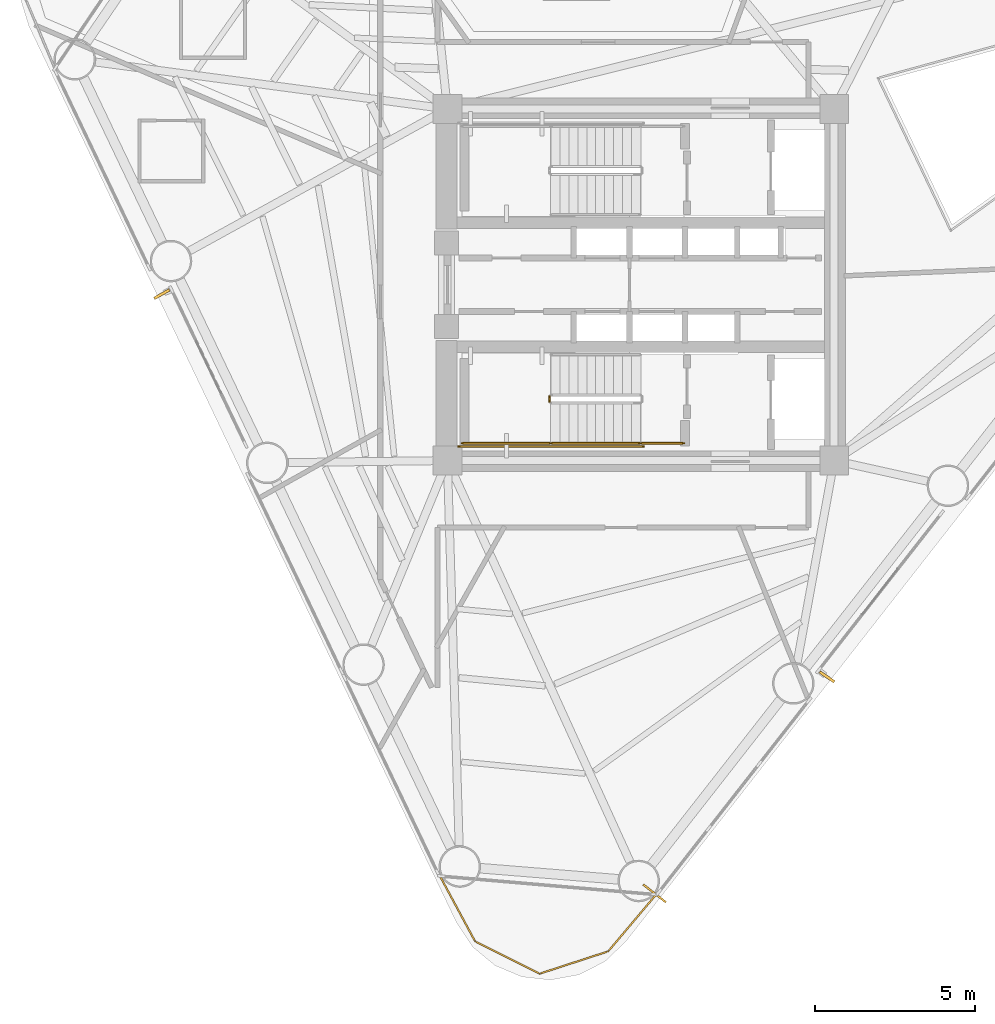
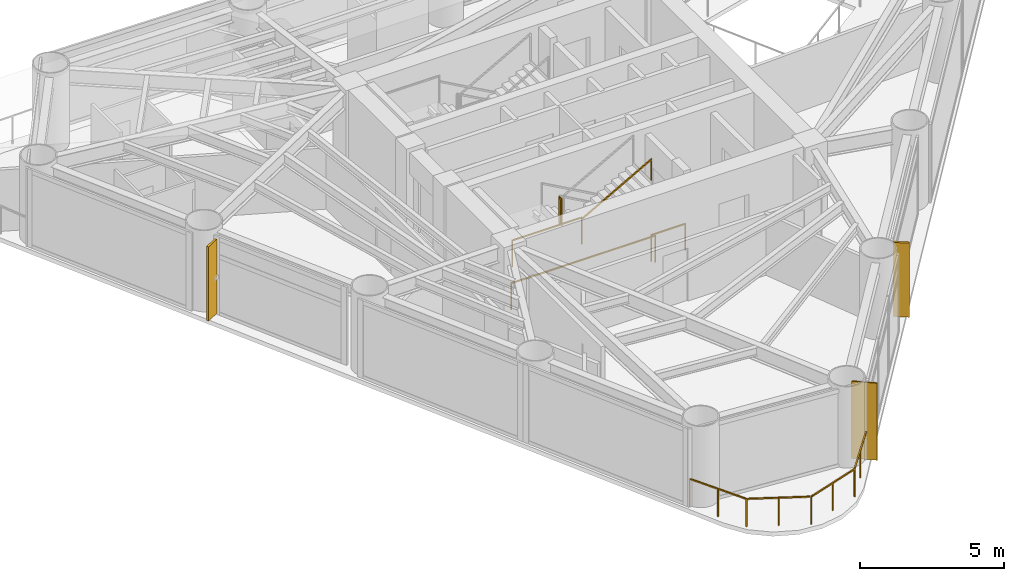
# One storey, part 8 of 10: 6 railings, 2 shading devices, 1 covering.
"""IFC4 building model written with IfcOpenShell, lengths in metres."""

from ifc_helpers import new_model, si_unit, direction, frame, origin, origin_2d, place, context, subcontext, project, spatial, rectangle, extrude, source, transform, mapped, material, layer, layer_set, material_profile, profile_set, type_object, element, save


model = new_model("IFC4")

# Units and contexts
model_context = context("Model", 3, precision=1e-05, world=origin(), true_north=direction((0.0, 1.0)))
body_context = subcontext(model_context, "Body", "Model", "MODEL_VIEW")
ifc_project = project(units=[si_unit("LENGTHUNIT", "METRE"), si_unit("AREAUNIT", "SQUARE_METRE"), si_unit("VOLUMEUNIT", "CUBIC_METRE"), si_unit("PLANEANGLEUNIT", "RADIAN"), si_unit("MASSUNIT", "GRAM", prefix="KILO")], contexts=[model_context])

# Site, building, storey
site_placement = place(None, origin())
site = spatial("IfcSite", under=ifc_project, at=site_placement, CompositionType="ELEMENT")
building_placement = place(site_placement, origin())
building = spatial("IfcBuilding", under=site, at=building_placement, Name="Yunling Apex Tower", CompositionType="ELEMENT")
storey_placement = place(building_placement, frame((0.0, 0.0, 139.85009765625)))
storey = spatial("IfcBuildingStorey", under=building, at=storey_placement, Name="L34", CompositionType="ELEMENT", Elevation=139.85009765625)

# Railings
ifc_material_1 = material(Name="Bronze anodised aluminium", Category="aluminium")
railing_type_1 = type_object("IfcRailingType", Name="RL-BAL-1200", PredefinedType="BALUSTRADE", material=ifc_material_1)
railing_1_placement = place(storey_placement, frame((0.4794921875, -19.07958984375, 0.0)))
element("IfcRailing", 1, at=railing_1_placement, inside=storey, type_object=railing_type_1, Name="RL-CRNSILL-L34-3", PredefinedType="BALUSTRADE", context=body_context, shape_type="SweptSolid", body=[
    extrude(rectangle(XDim=0.0439453125, YDim=0.0439453125, at=origin_2d()), origin(), (0.0, 0.0, 1.0), 1.199951171875),
    extrude(rectangle(XDim=0.0439453125, YDim=0.0439453125, at=origin_2d()), frame((-1.49853515625, -1.775390625, 0.0)), (0.0, 0.0, 1.0), 1.199951171875),
    extrude(rectangle(XDim=0.050048828125, YDim=0.050048828125, at=origin_2d()), frame((-0.024658203125, -0.029296875, 1.1748046875), z_axis=(-0.645009043245, -0.764174936865, 0.0), x_axis=(0.764174936865, -0.645009043245, 0.0)), (0.0, 0.0, 1.0), 2.24658203125),
    extrude(rectangle(XDim=0.0439453125, YDim=0.0439453125, at=origin_2d()), frame((-0.749267578125, -0.8876953125, 0.0)), (0.0, 0.0, 1.0), 1.14599609375),
    extrude(rectangle(XDim=0.0439453125, YDim=0.0439453125, at=origin_2d()), frame((-3.640380859375, -2.473876953125, 0.0)), (0.0, 0.0, 1.0), 1.199951171875),
    extrude(rectangle(XDim=0.050048828125, YDim=0.050048828125, at=origin_2d()), frame((-1.534912109375, -1.787353515625, 1.1748046875), z_axis=(-0.950722201045, -0.310044023389, 0.0), x_axis=(0.310044023389, -0.950722201045, 0.0)), (0.0, 0.0, 1.0), 2.17626953125),
    extrude(rectangle(XDim=0.0439453125, YDim=0.0439453125, at=origin_2d()), frame((-2.5693359375, -2.12451171875, 0.0)), (0.0, 0.0, 1.0), 1.14599609375),
    extrude(rectangle(XDim=0.0439453125, YDim=0.0439453125, at=origin_2d()), frame((-5.662841796875, -1.464111328125, 0.0)), (0.0, 0.0, 1.0), 1.199951171875),
    extrude(rectangle(XDim=0.050048828125, YDim=0.050048828125, at=origin_2d()), frame((-3.674560546875, -2.456787109375, 1.1748046875), z_axis=(-0.894686244893, 0.446695112129, 0.0), x_axis=(-0.446695112129, -0.894686244893, 0.0)), (0.0, 0.0, 1.0), 2.183837890625),
    extrude(rectangle(XDim=0.0439453125, YDim=0.0439453125, at=origin_2d()), frame((-4.651611328125, -1.968994140625, 0.0)), (0.0, 0.0, 1.0), 1.14599609375),
    extrude(rectangle(XDim=0.0439453125, YDim=0.0439453125, at=origin_2d()), frame((-6.76416015625, 0.580810546875, 0.0)), (0.0, 0.0, 1.0), 1.199951171875),
    extrude(rectangle(XDim=0.050048828125, YDim=0.050048828125, at=origin_2d()), frame((-5.680908203125, -1.430419921875, 1.1748046875), z_axis=(-0.474168772438, 0.880433969838, 0.0), x_axis=(-0.880433969838, -0.474168772438, 0.0)), (0.0, 0.0, 1.0), 2.245849609375),
    extrude(rectangle(XDim=0.0439453125, YDim=0.0439453125, at=origin_2d()), frame((-6.21337890625, -0.441650390625, 0.0)), (0.0, 0.0, 1.0), 1.14599609375),
])
ifc_material_2 = material(Name="Steel Q355B", Category="steel")
railing_type_2 = type_object("IfcRailingType", Name="RL-GRD-1150", PredefinedType="GUARDRAIL", material=ifc_material_2)
railing_2_placement = place(storey_placement, frame((-2.860107421875, -3.5, 1.724853515625)))
element("IfcRailing", 2, at=railing_2_placement, inside=storey, type_object=railing_type_2, Name="L34 ST-2 stair guard 2", PredefinedType="GUARDRAIL", context=body_context, shape_type="SweptSolid", body=[
    extrude(rectangle(XDim=0.0439453125, YDim=0.0439453125, at=origin_2d()), origin(), (0.0, 0.0, 1.0), 1.14990234375),
    extrude(rectangle(XDim=0.0439453125, YDim=0.0439453125, at=origin_2d()), frame((0.0, -0.14990234375, 0.0)), (0.0, 0.0, 1.0), 1.14990234375),
    extrude(rectangle(XDim=0.050048828125, YDim=0.050048828125, at=origin_2d()), frame((0.0, -0.038330078125, 1.125), z_axis=(0.0, -1.0, 0.0), x_axis=(1.0, 0.0, 0.0)), (0.0, 0.0, 1.0), 0.0732421875),
])
railing_3_placement = place(storey_placement, frame((-2.81005859375, -4.9599609375, 1.724853515625)))
element("IfcRailing", 3, at=railing_3_placement, inside=storey, type_object=railing_type_2, Name="L34 ST-2 stair guard 3", PredefinedType="GUARDRAIL", context=body_context, shape_type="SweptSolid", body=[
    extrude(rectangle(XDim=0.0439453125, YDim=0.0439453125, at=origin_2d()), origin(), (0.0, 0.0, 1.0), 1.14990234375),
    extrude(rectangle(XDim=0.0439453125, YDim=0.0439453125, at=origin_2d()), frame((-2.7900390625, 0.0, 0.0)), (0.0, 0.0, 1.0), 1.14990234375),
    extrude(rectangle(XDim=0.050048828125, YDim=0.050048828125, at=origin_2d()), frame((-0.038330078125, 0.0, 1.125), z_axis=(-1.0, 0.0, 0.0), x_axis=(0.0, -1.0, 0.0)), (0.0, 0.0, 1.0), 2.71337890625),
])
railing_4_placement = place(storey_placement, frame((1.35009765625, -4.9599609375, 0.0)))
element("IfcRailing", 4, at=railing_4_placement, inside=storey, type_object=railing_type_2, Name="L34 ST-2 stair guard 6", PredefinedType="GUARDRAIL", context=body_context, shape_type="SweptSolid", body=[
    extrude(rectangle(XDim=0.0439453125, YDim=0.0439453125, at=origin_2d()), origin(), (0.0, 0.0, 1.0), 1.14990234375),
    extrude(rectangle(XDim=0.0439453125, YDim=0.0439453125, at=origin_2d()), frame((-1.360107421875, 0.0, 0.0)), (0.0, 0.0, 1.0), 1.14990234375),
    extrude(rectangle(XDim=0.050048828125, YDim=0.050048828125, at=origin_2d()), frame((-0.038330078125, 0.0, 1.125), z_axis=(-1.0, 0.0, 0.0), x_axis=(0.0, -1.0, 0.0)), (0.0, 0.0, 1.0), 1.283447265625),
])
railing_5_placement = place(storey_placement, frame((0.090087890625, -5.06005859375, 0.0)))
element("IfcRailing", 5, at=railing_5_placement, inside=storey, type_object=railing_type_2, Name="L34 ST-2 stair guard 7", PredefinedType="GUARDRAIL", context=body_context, shape_type="SweptSolid", body=[
    extrude(rectangle(XDim=0.0439453125, YDim=0.0439453125, at=origin_2d()), origin(), (0.0, 0.0, 1.0), 1.14990234375),
    extrude(rectangle(XDim=0.0439453125, YDim=0.0439453125, at=origin_2d()), frame((-5.7900390625, 0.0, 0.0)), (0.0, 0.0, 1.0), 1.14990234375),
    extrude(rectangle(XDim=0.050048828125, YDim=0.050048828125, at=origin_2d()), frame((-0.038330078125, 0.0, 1.125), z_axis=(-1.0, 0.0, 0.0), x_axis=(0.0, -1.0, 0.0)), (0.0, 0.0, 1.0), 5.71337890625),
])
ifc_material_3 = material(Name="Silver anodised aluminium", Category="aluminium")
railing_type_3 = type_object("IfcRailingType", Name="RL-HND-900", PredefinedType="HANDRAIL", material=ifc_material_3)
railing_6_placement = place(storey_placement, frame((-2.81005859375, -4.9599609375, 1.8818359375)))
element("IfcRailing", 6, at=railing_6_placement, inside=storey, type_object=railing_type_3, Name="L34 ST-2 stair handrail 2", PredefinedType="HANDRAIL", context=body_context, shape_type="SweptSolid", body=[
    extrude(rectangle(XDim=0.0439453125, YDim=0.0439453125, at=origin_2d()), origin(), (0.0, 0.0, 1.0), 0.919921875),
    extrude(rectangle(XDim=0.0439453125, YDim=0.0439453125, at=origin_2d()), frame((2.800048828125, 0.0, 1.568115234375)), (0.0, 0.0, 1.0), 0.919921875),
    extrude(rectangle(XDim=0.050048828125, YDim=0.050048828125, at=origin_2d()), frame((0.033447265625, 0.0, 0.91357421875), z_axis=(0.872494340497, 0.0, 0.48862421737), x_axis=(0.0, 1.0, 0.0)), (0.0, 0.0, 1.0), 3.132568359375),
])

# Covering
ifc_layer = layer(ifc_material_1, 0.0400390625)
ifc_layer_set = layer_set([ifc_layer], Name="Bronze anodised aluminium")
covering_type = type_object("IfcCoveringType", Name="CV-CLD-1", PredefinedType="CLADDING", material=ifc_layer_set)
shared_shape_1 = source(origin(), body_context, "Body", "SweptSolid", [
    extrude(rectangle(XDim=0.06005859375, YDim=0.89990234375, at=origin_2d()), origin(), (0.0, 0.0, 1.0), 3.27001953125),
])
covering_placement = place(storey_placement, frame((0.43212890625, -19.042724609375, 0.0), z_axis=(0.0, 0.0, 1.0), x_axis=(0.616211460536, 0.787580748815, 0.0)))
element("IfcCovering", 7, at=covering_placement, inside=storey, type_object=covering_type, Name="CV-CLD-L34", PredefinedType="CLADDING", context=body_context, shape_type="MappedRepresentation", body=[
    mapped(shared_shape_1, transform((0.0, 0.0, 0.0), scale=1.0)),
])

# Shading devices
ifc_material_profile = material_profile(ifc_material_1, rectangle(XDim=0.0849609375, YDim=0.550048828125, at=origin_2d()))
ifc_profile_set = profile_set([ifc_material_profile], Name="Bronze anodised aluminium")
shading_device_type = type_object("IfcShadingDeviceType", Name="FN-BRZ-3", PredefinedType="USERDEFINED", material=ifc_profile_set)
shared_shape_2 = source(origin(), body_context, "Body", "SweptSolid", [
    extrude(rectangle(XDim=0.0849609375, YDim=0.550048828125, at=origin_2d()), origin(), (0.0, 0.0, 1.0), 3.14990234375),
])
for number, where, z_axis, x_axis, name in (
    (8, (5.82763671875, -12.268310546875, 0.06005859375), (0.0, 0.0, 1.0), (0.563381859003, 0.826196635763, 0.0), "CW-L34-F1-B2-FIN-01"),
    (9, (-14.984375, -0.2939453125, 0.06005859375), (0.0, 0.0, 1.0), (0.488621241497, -0.872496007073, 0.0), "CW-L34-F3-B2-FIN-01"),
):
    element("IfcShadingDevice", number, at=place(storey_placement, frame(where, z_axis=z_axis, x_axis=x_axis)), inside=storey, type_object=shading_device_type, Name=name, ObjectType="FIN", PredefinedType="USERDEFINED", context=body_context, shape_type="MappedRepresentation", body=[
        mapped(shared_shape_2, transform((0.0, 0.0, 0.0), scale=1.0)),
    ])

save(model, "model.ifc")
